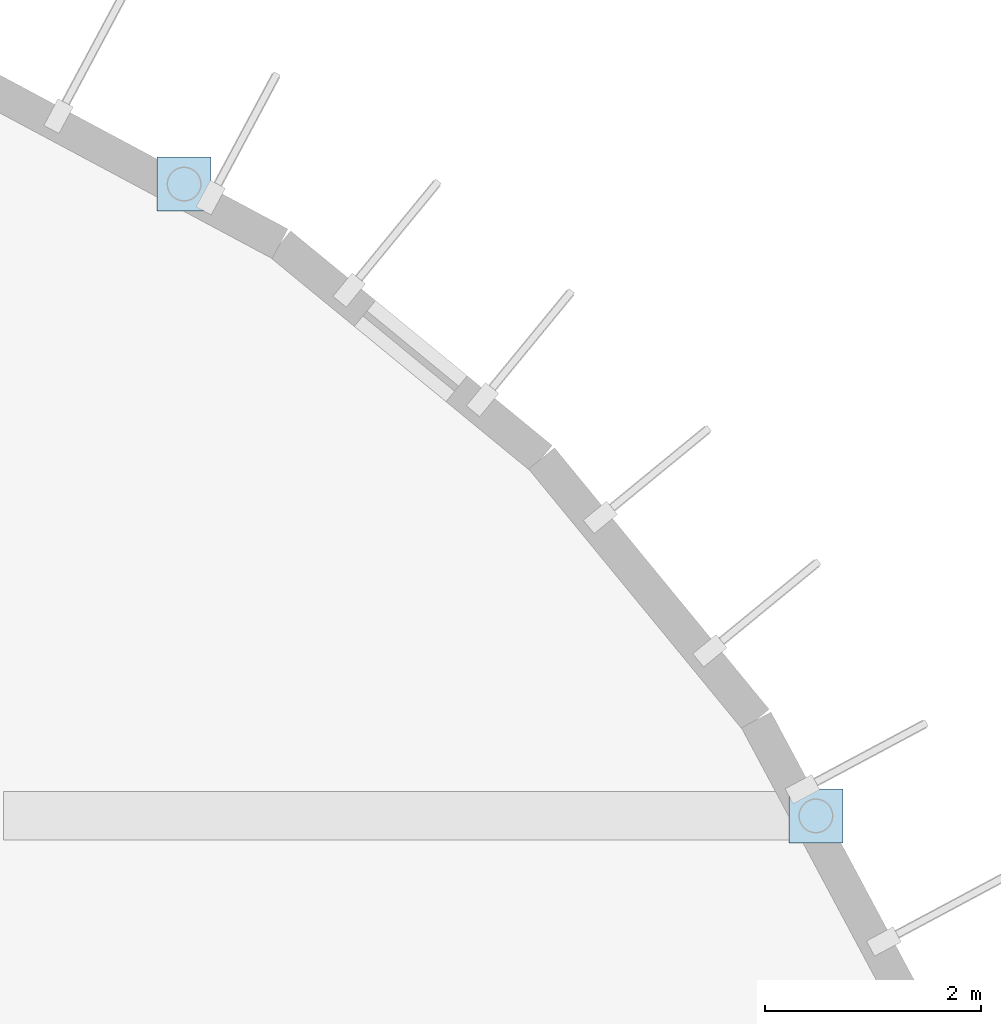
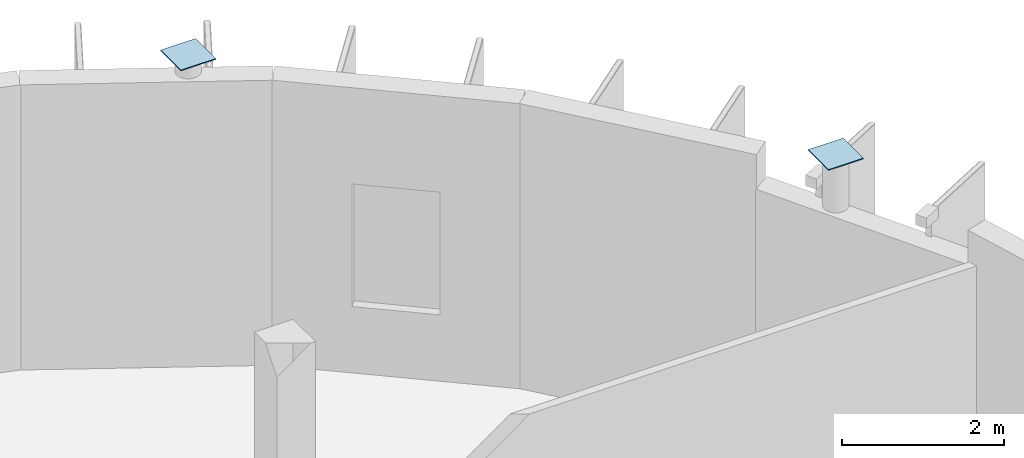
# One storey, part 68 of 93: 2 plates.
"""IFC4 building model written with IfcOpenShell, lengths in metres."""

import ifcopenshell
import ifcopenshell.guid

model = None  # the IFC model being written
_history = None  # IfcOwnerHistory: only IFC2X3 demands one
_inside = {}  # id of a spatial element -> (the spatial element, [elements in it])
_under = {}  # id of a project, library or spatial element -> (it, [spatial elements below it])
_declared = {}  # id of a project -> (the project, [libraries it declares])
_typed = {}  # id of a type object -> (the type object, [elements of that type])
_made_of = {}  # id of a material, layer set ... -> (it, [elements and type objects made of it])


def new_model(schema):
    """Start an empty IFC model of exactly this schema.

    Asked for "IFC4X3", IfcOpenShell would pick the latest addendum, in which some entities
    have other attributes; the version numbers below select the first issue.
    IFC2X3 requires an IfcOwnerHistory on every rooted entity: one is made here for all.
    """
    global model, _history
    if schema == "IFC4X3":
        model = ifcopenshell.file(schema_version=(4, 3, 0, 0))
    else:
        model = ifcopenshell.file(schema=schema)
    _inside.clear()
    _under.clear()
    _declared.clear()
    _typed.clear()
    _made_of.clear()
    _history = None
    if model.schema == "IFC2X3":
        org = make("IfcOrganization", Name="unknown")
        user = make(
            "IfcPersonAndOrganization",
            ThePerson=make("IfcPerson", FamilyName="unknown"),
            TheOrganization=org,
        )
        app = make(
            "IfcApplication",
            ApplicationDeveloper=org,
            Version="unknown",
            ApplicationFullName="unknown",
            ApplicationIdentifier="unknown",
        )
        _history = make(
            "IfcOwnerHistory",
            OwningUser=user,
            OwningApplication=app,
            ChangeAction="ADDED",
            CreationDate=0,
        )
    return model


def make(cls, **values):
    """One entity of the class cls with the attributes given. An attribute that is None is left unset."""
    return model.create_entity(
        cls, **{name: value for name, value in values.items() if value is not None}
    )


def rooted(cls, **values):
    """An entity with a GlobalId (a new one), such as an element, a storey or a relation."""
    return make(cls, GlobalId=ifcopenshell.guid.new(), OwnerHistory=_history, **values)


def si_unit(unit_type, name, prefix=None):
    """IfcSIUnit, for example si_unit("LENGTHUNIT", "METRE", prefix="MILLI")."""
    return make("IfcSIUnit", UnitType=unit_type, Prefix=prefix, Name=name)


def assignment(units):
    """IfcUnitAssignment: the units of a project."""
    return None if units is None else make("IfcUnitAssignment", Units=units)


def point(xyz):
    """IfcCartesianPoint."""
    return None if xyz is None else make("IfcCartesianPoint", Coordinates=xyz)


def direction(xyz):
    """IfcDirection."""
    return None if xyz is None else make("IfcDirection", DirectionRatios=xyz)


def frame(location, z_axis=None, x_axis=None):
    """IfcAxis2Placement3D, a coordinate frame: its origin and axes. An axis left out is left unset."""
    return make(
        "IfcAxis2Placement3D",
        Location=point(location),
        Axis=direction(z_axis),
        RefDirection=direction(x_axis),
    )


def frame_2d(location, x_axis=None):
    """IfcAxis2Placement2D, a coordinate frame in the plane: its origin and x axis."""
    return make(
        "IfcAxis2Placement2D", Location=point(location), RefDirection=direction(x_axis)
    )


def origin():
    """The frame at (0, 0, 0) with its axes left unset."""
    return frame((0.0, 0.0, 0.0))


def origin_2d():
    """The frame at (0, 0) in the plane with its x axis left unset."""
    return frame_2d((0.0, 0.0))


def place(relative_to, where):
    """IfcLocalPlacement: puts the frame where relative to a parent placement (None: the world)."""
    return make(
        "IfcLocalPlacement", PlacementRelTo=relative_to, RelativePlacement=where
    )


def context(
    kind, dimensions, precision=None, world=None, true_north=None, identifier=None
):
    """IfcGeometricRepresentationContext, for example the 3D "Model" context."""
    return make(
        "IfcGeometricRepresentationContext",
        ContextIdentifier=identifier,
        ContextType=kind,
        CoordinateSpaceDimension=dimensions,
        Precision=precision,
        WorldCoordinateSystem=world,
        TrueNorth=true_north,
    )


def subcontext(parent, identifier, kind, view, scale=None):
    """IfcGeometricRepresentationSubContext, for example "Body" below "Model"."""
    return make(
        "IfcGeometricRepresentationSubContext",
        ContextIdentifier=identifier,
        ContextType=kind,
        ParentContext=parent,
        TargetScale=scale,
        TargetView=view,
    )


def project(units=None, contexts=None):
    """IfcProject with its units and contexts."""
    return rooted(
        "IfcProject",
        Name="project",
        RepresentationContexts=contexts,
        UnitsInContext=assignment(units),
    )


def spatial(cls, under=None, at=None, **own):
    """A site, building, storey or space (cls), placed at a placement, below another one or the project."""
    s = rooted(cls, ObjectPlacement=at, **own)
    if under is not None:
        _under.setdefault(under.id(), (under, []))[1].append(s)
    return s


def profile(cls, at=None, kind="AREA", **sizes):
    """A parametric profile (cls). Its sizes go by their IFC names, for example OverallWidth=200.0."""
    return make(cls, ProfileType=kind, Position=at, **sizes)


def rectangle(**sizes):
    """IfcRectangleProfileDef."""
    return profile("IfcRectangleProfileDef", **sizes)


def extrude(swept, where, along, depth):
    """IfcExtrudedAreaSolid: the profile swept, set in the frame where, extruded along a direction by depth."""
    return make(
        "IfcExtrudedAreaSolid",
        SweptArea=swept,
        Position=where,
        ExtrudedDirection=direction(along),
        Depth=depth,
    )


def shape(context_of_items, identifier, shape_type, items):
    """IfcShapeRepresentation: the items that make up one representation, for example the "Body"."""
    return make(
        "IfcShapeRepresentation",
        ContextOfItems=context_of_items,
        RepresentationIdentifier=identifier,
        RepresentationType=shape_type,
        Items=items,
    )


def material(Name=None, Category=None):
    """IfcMaterial."""
    return make("IfcMaterial", Name=Name, Category=Category)


def layer(
    of_material, thickness, ventilated=None, Name=None, Category=None, Priority=None
):
    """IfcMaterialLayer: one layer of a wall or slab, of a material (None: an air gap)."""
    return make(
        "IfcMaterialLayer",
        Material=of_material,
        LayerThickness=thickness,
        IsVentilated=ventilated,
        Name=Name,
        Category=Category,
        Priority=Priority,
    )


def layer_set(layers, Name=None):
    """IfcMaterialLayerSet."""
    return make("IfcMaterialLayerSet", MaterialLayers=layers, LayerSetName=Name)


def made_of(thing, what):
    """Note that an element or type object is made of a material, layer set ...; save() writes the relation."""
    if what is not None:
        _made_of.setdefault(what.id(), (what, []))[1].append(thing)
    return thing


def type_object(cls, material=None, **own):
    """A type object (cls), such as IfcWallType, which elements share."""
    return made_of(rooted(cls, **own), material)


def element(
    cls,
    number,
    at=None,
    inside=None,
    cuts=None,
    type_object=None,
    material=None,
    context=None,
    identifier="Body",
    shape_type=None,
    held_by="IfcProductDefinitionShape",
    body=None,
    shapes=None,
    **own,
):
    """One element of the class cls, such as IfcWall. Its Tag is "e" and its number.

    at: its placement. inside: the storey or other place that contains it. cuts: it is an
    opening in that element (IfcRelVoidsElement). A single representation is given by context,
    identifier, shape_type and body (its items); several are given by shapes. held_by: the class
    of the entity that holds the representations. save() writes the other relations.
    """
    e = rooted(cls, Tag="e%d" % number, ObjectPlacement=at, **own)
    if body is not None:
        shapes = [shape(context, identifier, shape_type, body)]
    if shapes is not None:
        e.Representation = make(held_by, Representations=shapes)
    if inside is not None:
        _inside.setdefault(inside.id(), (inside, []))[1].append(e)
    if cuts is not None:
        rooted(
            "IfcRelVoidsElement", RelatingBuildingElement=cuts, RelatedOpeningElement=e
        )
    if type_object is not None:
        _typed.setdefault(type_object.id(), (type_object, []))[1].append(e)
    return made_of(e, material)


def aggregate(whole, parts):
    """IfcRelAggregates: a whole, such as a stair, and the parts it consists of."""
    return rooted("IfcRelAggregates", RelatingObject=whole, RelatedObjects=parts)


def save(model, path):
    """Write the relations noted so far, then the file.

    IfcRelAggregates (storeys below a building ...), IfcRelContainedInSpatialStructure (elements
    in a storey), IfcRelDefinesByType, IfcRelAssociatesMaterial and IfcRelDeclares: one each for
    every whole, place, type object, material and project.
    """
    for whole, parts in _under.values():
        aggregate(whole, parts)
    for where, things in _inside.values():
        rooted(
            "IfcRelContainedInSpatialStructure",
            RelatedElements=things,
            RelatingStructure=where,
        )
    for kind, things in _typed.values():
        rooted("IfcRelDefinesByType", RelatedObjects=things, RelatingType=kind)
    for what, things in _made_of.values():
        rooted("IfcRelAssociatesMaterial", RelatedObjects=things, RelatingMaterial=what)
    for by, libraries in _declared.values():
        rooted("IfcRelDeclares", RelatingContext=by, RelatedDefinitions=libraries)
    model.write(path)


model = new_model("IFC4")

# Units and contexts
model_context = context("Model", 3, precision=1e-05, world=origin(), true_north=direction((0.0, 1.0)))
body_context = subcontext(model_context, "Body", "Model", "MODEL_VIEW")
ifc_project = project(units=[si_unit("LENGTHUNIT", "METRE"), si_unit("AREAUNIT", "SQUARE_METRE"), si_unit("VOLUMEUNIT", "CUBIC_METRE"), si_unit("PLANEANGLEUNIT", "RADIAN"), si_unit("MASSUNIT", "GRAM", prefix="KILO")], contexts=[model_context])

# Site, building, storey
site_placement = place(None, origin())
site = spatial("IfcSite", under=ifc_project, at=site_placement, CompositionType="ELEMENT")
building_placement = place(site_placement, origin())
building = spatial("IfcBuilding", under=site, at=building_placement, Name="Drelvana Railside Aquatics Centre", CompositionType="ELEMENT")
storey_placement = place(building_placement, frame((0.0, 0.0, 5.39990234375)))
storey = spatial("IfcBuildingStorey", under=building, at=storey_placement, Name="L01", CompositionType="ELEMENT", Elevation=5.39990234375)

# Plates
ifc_material = material(Name="Structural steel S355", Category="steel")
ifc_layer = layer(ifc_material, 0.014892578125, Name="Structural steel S355")
ifc_layer_set = layer_set([ifc_layer], Name="Structural steel S355")
plate_type = type_object("IfcPlateType", Name="STR-PLT-PL-01", PredefinedType="SHEET", material=ifc_layer_set)
for number, where, z_axis, x_axis, name in (
    (1, (181.8564453125, 96.0, 4.54248046875), (0.0, 0.0, 1.0), (1.0, 0.0, 0.0), "Steel bearing cap plate PL-01 #11"),
    (2, (176.0, 101.8564453125, 4.54248046875), (0.0, 0.0, 1.0), (1.0, 0.0, 0.0), "Steel bearing cap plate PL-01 #14"),
):
    element("IfcPlate", number, at=place(storey_placement, frame(where, z_axis=z_axis, x_axis=x_axis)), inside=storey, type_object=plate_type, Name=name, PredefinedType="SHEET", context=body_context, shape_type="SweptSolid", body=[
        extrude(rectangle(XDim=0.5, YDim=0.5, at=origin_2d()), origin(), (0.0, 0.0, 1.0), 0.014892578125),
    ])

save(model, "model.ifc")
